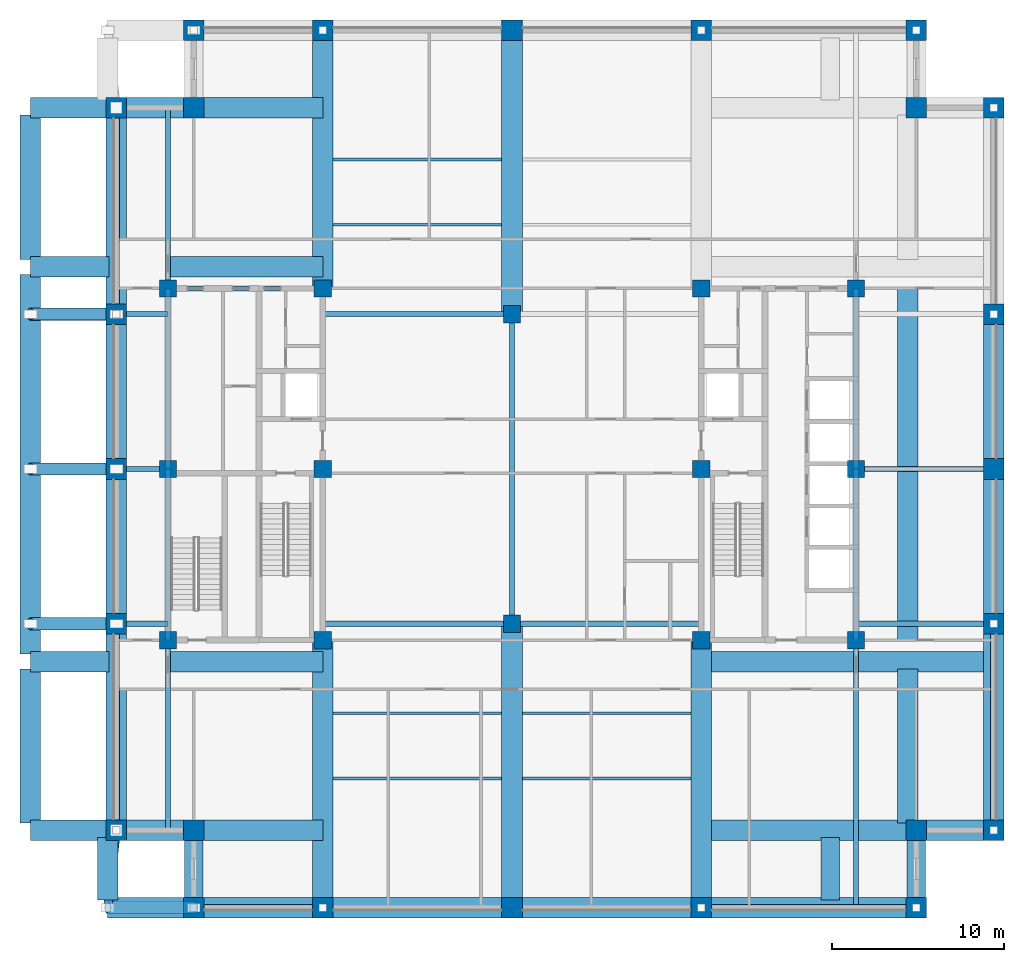
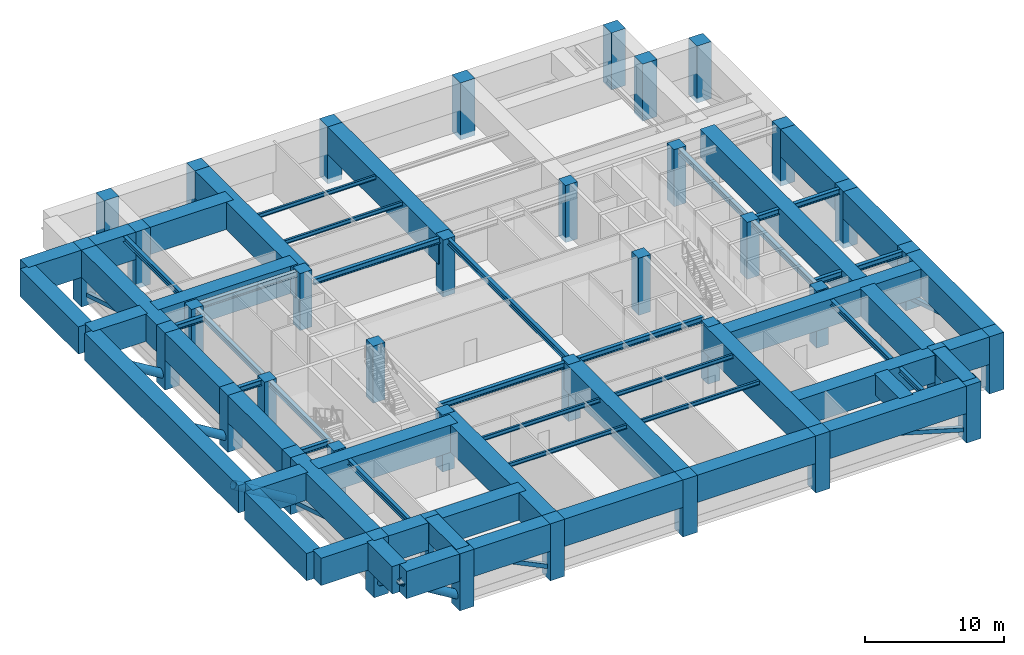
# One storey, part 1 of 11: 58 beams, 38 columns, 10 members.
"""IFC4 building model written with IfcOpenShell, lengths in metres."""

from ifc_helpers import new_model, si_unit, direction, frame, origin, origin_2d, place, context, subcontext, project, spatial, rectangle, hollow_rectangle, hollow_circle, i_section, extrude, material, material_profile, profile_set, type_object, element, save


model = new_model("IFC4")

# Units and contexts
model_context = context("Model", 3, precision=1e-05, world=origin(), true_north=direction((0.0, 1.0)))
body_context = subcontext(model_context, "Body", "Model", "MODEL_VIEW")
ifc_project = project(units=[si_unit("LENGTHUNIT", "METRE"), si_unit("AREAUNIT", "SQUARE_METRE"), si_unit("VOLUMEUNIT", "CUBIC_METRE"), si_unit("PLANEANGLEUNIT", "RADIAN"), si_unit("MASSUNIT", "GRAM", prefix="KILO")], contexts=[model_context])

# Site, building, storey
site_placement = place(None, origin())
site = spatial("IfcSite", under=ifc_project, at=site_placement, CompositionType="ELEMENT")
building_placement = place(site_placement, origin())
building = spatial("IfcBuilding", under=site, at=building_placement, Name="Zulmaris Gate Convention Tower", CompositionType="ELEMENT")
storey_placement = place(building_placement, frame((0.0, 0.0, 116.349853515625)))
storey = spatial("IfcBuildingStorey", under=building, at=storey_placement, Name="L29", CompositionType="ELEMENT", Elevation=116.349853515625)

# Columns
ifc_material_1 = material(Name="Concrete C60/75", Category="concrete")
ifc_material_profile_1 = material_profile(ifc_material_1, rectangle(XDim=1.0, YDim=1.0, at=origin_2d()), Name="RC COL 1000x1000")
ifc_profile_set_1 = profile_set([ifc_material_profile_1], Name="Concrete C60/75")
column_type_1 = type_object("IfcColumnType", Name="COL-RC1000", PredefinedType="COLUMN", material=ifc_profile_set_1)
for number, where, z_axis, x_axis, name in (
    (1, (-20.0, -9.949951171875, -0.425048828125), (0.0, 0.0, 1.0), (1.0, 0.0, 0.0), "L29 Column IN--20.00_-9.95"),
    (2, (-20.0, 10.5, -0.425048828125), (0.0, 0.0, 1.0), (1.0, 0.0, 0.0), "L29 Column IN--20.00_+10.50"),
    (3, (-11.0, -9.949951171875, -0.425048828125), (0.0, 0.0, 1.0), (1.0, 0.0, 0.0), "L29 Column IN--11.00_-9.95"),
    (4, (-11.0, 0.0, -0.425048828125), (0.0, 0.0, 1.0), (1.0, 0.0, 0.0), "L29 Column IN--11.00_+0.00"),
    (5, (-11.0, 10.5, -0.425048828125), (0.0, 0.0, 1.0), (1.0, 0.0, 0.0), "L29 Column IN--11.00_+10.50"),
    (6, (11.0, -9.949951171875, -0.425048828125), (0.0, 0.0, 1.0), (1.0, 0.0, 0.0), "L29 Column IN-+11.00_-9.95"),
    (7, (11.0, 0.0, -0.425048828125), (0.0, 0.0, 1.0), (1.0, 0.0, 0.0), "L29 Column IN-+11.00_+0.00"),
    (8, (11.0, 10.5, -0.425048828125), (0.0, 0.0, 1.0), (1.0, 0.0, 0.0), "L29 Column IN-+11.00_+10.50"),
    (9, (20.0, -9.949951171875, -0.425048828125), (0.0, 0.0, 1.0), (1.0, 0.0, 0.0), "L29 Column IN-+20.00_-9.95"),
    (10, (20.0, 10.5, -0.425048828125), (0.0, 0.0, 1.0), (1.0, 0.0, 0.0), "L29 Column IN-+20.00_+10.50"),
    (11, (0.0, -9.0, -0.425048828125), (0.0, 0.0, 1.0), (1.0, 0.0, 0.0), "L29 Column IN-+0.00_-9.00"),
    (12, (0.0, 9.0, -0.425048828125), (0.0, 0.0, 1.0), (1.0, 0.0, 0.0), "L29 Column IN-+0.00_+9.00"),
    (13, (-20.0, 0.0, -0.425048828125), (0.0, 0.0, 1.0), (1.0, 0.0, 0.0), "L29 Column IN--20.00_+0.00"),
    (14, (20.0, 0.0, -0.425048828125), (0.0, 0.0, 1.0), (1.0, 0.0, 0.0), "L29 Column IN-+20.00_+0.00"),
):
    element("IfcColumn", number, at=place(storey_placement, frame(where, z_axis=z_axis, x_axis=x_axis)), inside=storey, type_object=column_type_1, Name=name, PredefinedType="COLUMN", context=body_context, shape_type="SweptSolid", body=[
        extrude(rectangle(XDim=1.0, YDim=1.0, at=origin_2d()), origin(), (0.0, 0.0, 1.0), 5.0),
    ])
ifc_material_2 = material(Name="Concrete C70/85", Category="concrete")
ifc_material_profile_2 = material_profile(ifc_material_2, rectangle(XDim=1.199951171875, YDim=1.199951171875, at=origin_2d()), Name="RC COL 1200x1200")
ifc_profile_set_2 = profile_set([ifc_material_profile_2], Name="Concrete C70/85")
column_type_2 = type_object("IfcColumnType", Name="COL-RC1200", PredefinedType="COLUMN", material=ifc_profile_set_2)
for number, where, z_axis, x_axis, name in (
    (15, (-18.5, -25.5, -0.425048828125), (0.0, 0.0, 1.0), (1.0, 0.0, 0.0), "L29 Column PT--18.50_-25.50"),
    (16, (-11.0, -25.5, -0.425048828125), (0.0, 0.0, 1.0), (1.0, 0.0, 0.0), "L29 Column PT--11.00_-25.50"),
    (17, (0.0, -25.5, -0.425048828125), (0.0, 0.0, 1.0), (1.0, 0.0, 0.0), "L29 Column PT-+0.00_-25.50"),
    (18, (11.0, -25.5, -0.425048828125), (0.0, 0.0, 1.0), (1.0, 0.0, 0.0), "L29 Column PT-+11.00_-25.50"),
    (19, (23.5, -25.5, -0.425048828125), (0.0, 0.0, 1.0), (1.0, 0.0, 0.0), "L29 Column PT-+23.50_-25.50"),
    (20, (-18.5, 25.5, -0.425048828125), (0.0, 0.0, 1.0), (1.0, 0.0, 0.0), "L29 Column PT--18.50_+25.50"),
    (21, (-11.0, 25.5, -0.425048828125), (0.0, 0.0, 1.0), (1.0, 0.0, 0.0), "L29 Column PT--11.00_+25.50"),
    (22, (0.0, 25.5, -0.425048828125), (0.0, 0.0, 1.0), (1.0, 0.0, 0.0), "L29 Column PT-+0.00_+25.50"),
    (23, (11.0, 25.5, -0.425048828125), (0.0, 0.0, 1.0), (1.0, 0.0, 0.0), "L29 Column PT-+11.00_+25.50"),
    (24, (23.5, 25.5, -0.425048828125), (0.0, 0.0, 1.0), (1.0, 0.0, 0.0), "L29 Column PT-+23.50_+25.50"),
    (25, (-23.0, -21.0, -0.425048828125), (0.0, 0.0, 1.0), (1.0, 0.0, 0.0), "L29 Column PT--23.00_-21.00"),
    (26, (-23.0, -9.0, -0.425048828125), (0.0, 0.0, 1.0), (1.0, 0.0, 0.0), "L29 Column PT--23.00_-9.00"),
    (27, (-23.0, 0.0, -0.425048828125), (0.0, 0.0, 1.0), (1.0, 0.0, 0.0), "L29 Column PT--23.00_+0.00"),
    (28, (-23.0, 9.0, -0.425048828125), (0.0, 0.0, 1.0), (1.0, 0.0, 0.0), "L29 Column PT--23.00_+9.00"),
    (29, (-23.0, 21.0, -0.425048828125), (0.0, 0.0, 1.0), (1.0, 0.0, 0.0), "L29 Column PT--23.00_+21.00"),
    (30, (28.0, -21.0, -0.425048828125), (0.0, 0.0, 1.0), (1.0, 0.0, 0.0), "L29 Column PT-+28.00_-21.00"),
    (31, (28.0, -9.0, -0.425048828125), (0.0, 0.0, 1.0), (1.0, 0.0, 0.0), "L29 Column PT-+28.00_-9.00"),
    (32, (28.0, 0.0, -0.425048828125), (0.0, 0.0, 1.0), (1.0, 0.0, 0.0), "L29 Column PT-+28.00_+0.00"),
    (33, (28.0, 9.0, -0.425048828125), (0.0, 0.0, 1.0), (1.0, 0.0, 0.0), "L29 Column PT-+28.00_+9.00"),
    (34, (28.0, 21.0, -0.425048828125), (0.0, 0.0, 1.0), (1.0, 0.0, 0.0), "L29 Column PT-+28.00_+21.00"),
    (35, (-18.5, -21.0, -0.425048828125), (0.0, 0.0, 1.0), (1.0, 0.0, 0.0), "L29 Column PT--18.50_-21.00"),
    (36, (23.5, -21.0, -0.425048828125), (0.0, 0.0, 1.0), (1.0, 0.0, 0.0), "L29 Column PT-+23.50_-21.00"),
    (37, (23.5, 21.0, -0.425048828125), (0.0, 0.0, 1.0), (1.0, 0.0, 0.0), "L29 Column PT-+23.50_+21.00"),
    (38, (-18.5, 21.0, -0.425048828125), (0.0, 0.0, 1.0), (1.0, 0.0, 0.0), "L29 Column PT--18.50_+21.00"),
):
    element("IfcColumn", number, at=place(storey_placement, frame(where, z_axis=z_axis, x_axis=x_axis)), inside=storey, type_object=column_type_2, Name=name, PredefinedType="COLUMN", context=body_context, shape_type="SweptSolid", body=[
        extrude(rectangle(XDim=1.199951171875, YDim=1.199951171875, at=origin_2d()), origin(), (0.0, 0.0, 1.0), 5.0),
    ])

# Beams
ifc_material_3 = material(Name="Steel S355", Category="steel")
ifc_material_profile_3 = material_profile(ifc_material_3, i_section(OverallWidth=0.300048828125, OverallDepth=0.5, WebThickness=0.014404296875, FlangeThickness=0.028076171875, FilletRadius=0.027099609375, at=origin_2d()), Name="HEB 500")
ifc_profile_set_3 = profile_set([ifc_material_profile_3], Name="Steel S355")
beam_type_1 = type_object("IfcBeamType", Name="BM-HEB500", PredefinedType="BEAM", material=ifc_profile_set_3)
for number, where, z_axis, x_axis, name in (
    (39, (-11.0, -9.0, 4.322998046875), (1.0, 0.0, 0.0), (0.0, 1.0, 0.0), "L29 Beam BM-L29-G01"),
    (40, (0.0, -9.0, 4.322998046875), (1.0, 0.0, 0.0), (0.0, 1.0, 0.0), "L29 Beam BM-L29-G02"),
    (41, (-11.0, 9.0, 4.322998046875), (1.0, 0.0, 0.0), (0.0, 1.0, 0.0), "L29 Beam BM-L29-G03"),
):
    element("IfcBeam", number, at=place(storey_placement, frame(where, z_axis=z_axis, x_axis=x_axis)), inside=storey, type_object=beam_type_1, Name=name, PredefinedType="BEAM", context=body_context, shape_type="SweptSolid", body=[
        extrude(i_section(OverallWidth=0.300048828125, OverallDepth=0.5, WebThickness=0.014404296875, FlangeThickness=0.028076171875, FilletRadius=0.027099609375, at=origin_2d()), origin(), (0.0, 0.0, 1.0), 11.0),
    ])
beam_1_placement = place(storey_placement, frame((0.0, -9.0, 4.322998046875), z_axis=(0.0, 1.0, 0.0), x_axis=(-1.0, 0.0, 0.0)))
element("IfcBeam", 42, at=beam_1_placement, inside=storey, type_object=beam_type_1, Name="L29 Beam BM-L29-G06", PredefinedType="BEAM", context=body_context, shape_type="SweptSolid", body=[
    extrude(i_section(OverallWidth=0.300048828125, OverallDepth=0.5, WebThickness=0.014404296875, FlangeThickness=0.028076171875, FilletRadius=0.027099609375, at=origin_2d()), origin(), (0.0, 0.0, 1.0), 18.0),
])
beam_2_placement = place(storey_placement, frame((-20.0, -21.0, 4.322998046875), z_axis=(0.0, 1.0, 0.0), x_axis=(-1.0, 0.0, 0.0)))
element("IfcBeam", 43, at=beam_2_placement, inside=storey, type_object=beam_type_1, Name="L29 Beam BM-L29-G12", PredefinedType="BEAM", context=body_context, shape_type="SweptSolid", body=[
    extrude(i_section(OverallWidth=0.300048828125, OverallDepth=0.5, WebThickness=0.014404296875, FlangeThickness=0.028076171875, FilletRadius=0.027099609375, at=origin_2d()), origin(), (0.0, 0.0, 1.0), 11.050048828125),
])
beam_3_placement = place(storey_placement, frame((-20.0, 10.5, 4.322998046875), z_axis=(0.0, 1.0, 0.0), x_axis=(-1.0, 0.0, 0.0)))
element("IfcBeam", 44, at=beam_3_placement, inside=storey, type_object=beam_type_1, Name="L29 Beam BM-L29-G13", PredefinedType="BEAM", context=body_context, shape_type="SweptSolid", body=[
    extrude(i_section(OverallWidth=0.300048828125, OverallDepth=0.5, WebThickness=0.014404296875, FlangeThickness=0.028076171875, FilletRadius=0.027099609375, at=origin_2d()), origin(), (0.0, 0.0, 1.0), 10.5),
])
beam_4_placement = place(storey_placement, frame((20.0, -25.5, 4.2880859375), z_axis=(0.0, 1.0, 0.0), x_axis=(-1.0, 0.0, 0.0)))
element("IfcBeam", 45, at=beam_4_placement, inside=storey, type_object=beam_type_1, Name="L29 Beam BM-L29-G14", PredefinedType="BEAM", context=body_context, shape_type="SweptSolid", body=[
    extrude(i_section(OverallWidth=0.300048828125, OverallDepth=0.5, WebThickness=0.014404296875, FlangeThickness=0.028076171875, FilletRadius=0.027099609375, at=origin_2d()), origin(), (0.0, 0.0, 1.0), 15.550048828125),
])
for number, where, z_axis, x_axis, name in (
    (46, (-23.0, -9.0, 4.322998046875), (1.0, 0.0, 0.0), (0.0, 1.0, 0.0), "L29 Beam BM-L29-G16"),
    (47, (-23.0, 0.0, 4.322998046875), (1.0, 0.0, 0.0), (0.0, 1.0, 0.0), "L29 Beam BM-L29-G17"),
    (48, (-23.0, 9.0, 4.322998046875), (1.0, 0.0, 0.0), (0.0, 1.0, 0.0), "L29 Beam BM-L29-G18"),
):
    element("IfcBeam", number, at=place(storey_placement, frame(where, z_axis=z_axis, x_axis=x_axis)), inside=storey, type_object=beam_type_1, Name=name, PredefinedType="BEAM", context=body_context, shape_type="SweptSolid", body=[
        extrude(i_section(OverallWidth=0.300048828125, OverallDepth=0.5, WebThickness=0.014404296875, FlangeThickness=0.028076171875, FilletRadius=0.027099609375, at=origin_2d()), origin(), (0.0, 0.0, 1.0), 3.0),
    ])
for number, where, z_axis, x_axis, name in (
    (49, (20.0, -9.0, 4.2880859375), (1.0, 0.0, 0.0), (0.0, 1.0, 0.0), "L29 Beam BM-L29-G19"),
    (50, (20.0, 0.0, 4.2880859375), (1.0, 0.0, 0.0), (0.0, 1.0, 0.0), "L29 Beam BM-L29-G20"),
):
    element("IfcBeam", number, at=place(storey_placement, frame(where, z_axis=z_axis, x_axis=x_axis)), inside=storey, type_object=beam_type_1, Name=name, PredefinedType="BEAM", context=body_context, shape_type="SweptSolid", body=[
        extrude(i_section(OverallWidth=0.300048828125, OverallDepth=0.5, WebThickness=0.014404296875, FlangeThickness=0.028076171875, FilletRadius=0.027099609375, at=origin_2d()), origin(), (0.0, 0.0, 1.0), 8.0),
    ])
beam_5_placement = place(storey_placement, frame((-20.0, 10.5, 4.322998046875), z_axis=(1.0, 0.0, 0.0), x_axis=(0.0, 1.0, 0.0)))
element("IfcBeam", 51, at=beam_5_placement, inside=storey, type_object=beam_type_1, Name="L29 Beam BM-L29-G23", PredefinedType="BEAM", context=body_context, shape_type="SweptSolid", body=[
    extrude(i_section(OverallWidth=0.300048828125, OverallDepth=0.5, WebThickness=0.014404296875, FlangeThickness=0.028076171875, FilletRadius=0.027099609375, at=origin_2d()), origin(), (0.0, 0.0, 1.0), 9.0),
])
beam_6_placement = place(storey_placement, frame((-20.0, -9.949951171875, 4.322998046875), z_axis=(0.0, 1.0, 0.0), x_axis=(-1.0, 0.0, 0.0)))
element("IfcBeam", 52, at=beam_6_placement, inside=storey, type_object=beam_type_1, Name="L29 Beam BM-L29-G26", PredefinedType="BEAM", context=body_context, shape_type="SweptSolid", body=[
    extrude(i_section(OverallWidth=0.300048828125, OverallDepth=0.5, WebThickness=0.014404296875, FlangeThickness=0.028076171875, FilletRadius=0.027099609375, at=origin_2d()), origin(), (0.0, 0.0, 1.0), 9.949951171875),
])
beam_7_placement = place(storey_placement, frame((-20.0, 0.0, 4.322998046875), z_axis=(0.0, 1.0, 0.0), x_axis=(-1.0, 0.0, 0.0)))
element("IfcBeam", 53, at=beam_7_placement, inside=storey, type_object=beam_type_1, Name="L29 Beam BM-L29-G27", PredefinedType="BEAM", context=body_context, shape_type="SweptSolid", body=[
    extrude(i_section(OverallWidth=0.300048828125, OverallDepth=0.5, WebThickness=0.014404296875, FlangeThickness=0.028076171875, FilletRadius=0.027099609375, at=origin_2d()), origin(), (0.0, 0.0, 1.0), 10.5),
])
beam_8_placement = place(storey_placement, frame((20.0, -9.949951171875, 4.322998046875), z_axis=(0.0, 1.0, 0.0), x_axis=(-1.0, 0.0, 0.0)))
element("IfcBeam", 54, at=beam_8_placement, inside=storey, type_object=beam_type_1, Name="L29 Beam BM-L29-G28", PredefinedType="BEAM", context=body_context, shape_type="SweptSolid", body=[
    extrude(i_section(OverallWidth=0.300048828125, OverallDepth=0.5, WebThickness=0.014404296875, FlangeThickness=0.028076171875, FilletRadius=0.027099609375, at=origin_2d()), origin(), (0.0, 0.0, 1.0), 9.949951171875),
])
beam_9_placement = place(storey_placement, frame((20.0, 0.0, 4.322998046875), z_axis=(0.0, 1.0, 0.0), x_axis=(-1.0, 0.0, 0.0)))
element("IfcBeam", 55, at=beam_9_placement, inside=storey, type_object=beam_type_1, Name="L29 Beam BM-L29-G29", PredefinedType="BEAM", context=body_context, shape_type="SweptSolid", body=[
    extrude(i_section(OverallWidth=0.300048828125, OverallDepth=0.5, WebThickness=0.014404296875, FlangeThickness=0.028076171875, FilletRadius=0.027099609375, at=origin_2d()), origin(), (0.0, 0.0, 1.0), 10.5),
])
ifc_material_4 = material(Name="Concrete C80/95", Category="concrete")
ifc_material_profile_4 = material_profile(ifc_material_4, rectangle(XDim=1.10009765625, YDim=1.800048828125, at=origin_2d()), Name="RC TRANSFER 1100x1800")
ifc_profile_set_4 = profile_set([ifc_material_profile_4], Name="Concrete C80/95")
beam_type_2 = type_object("IfcBeamType", Name="BM-XFER1800", PredefinedType="BEAM", material=ifc_profile_set_4)
for number, where, z_axis, x_axis, name in (
    (56, (-18.5, -25.5, 3.675048828125), (0.0, 1.0, 0.0), (-1.0, 0.0, 0.0), "L29 Beam XFCOLV-L29-CXWS"),
    (57, (23.5, -25.5, 3.675048828125), (0.0, 1.0, 0.0), (-1.0, 0.0, 0.0), "L29 Beam XFCOLV-L29-CXES"),
):
    element("IfcBeam", number, at=place(storey_placement, frame(where, z_axis=z_axis, x_axis=x_axis)), inside=storey, type_object=beam_type_2, Name=name, PredefinedType="BEAM", context=body_context, shape_type="SweptSolid", body=[
        extrude(rectangle(XDim=1.10009765625, YDim=1.800048828125, at=origin_2d()), origin(), (0.0, 0.0, 1.0), 4.5),
    ])
beam_10_placement = place(storey_placement, frame((18.5, -25.06494140625, 3.675048828125), z_axis=(0.0, 1.0, 0.0), x_axis=(-1.0, 0.0, 0.0)))
element("IfcBeam", 58, at=beam_10_placement, inside=storey, type_object=beam_type_2, Name="L29 Beam XFNCH-L29-EC--21.0", PredefinedType="BEAM", context=body_context, shape_type="SweptSolid", body=[
    extrude(rectangle(XDim=1.10009765625, YDim=1.800048828125, at=origin_2d()), origin(), (0.0, 0.0, 1.0), 3.6298828125),
])
ifc_material_profile_5 = material_profile(ifc_material_4, rectangle(XDim=1.199951171875, YDim=2.39990234375, at=origin_2d()), Name="RC TRANSFER 1200x2400")
ifc_profile_set_5 = profile_set([ifc_material_profile_5], Name="Concrete C80/95")
beam_type_3 = type_object("IfcBeamType", Name="BM-XFER2400", PredefinedType="BEAM", material=ifc_profile_set_5)
beam_11_placement = place(storey_placement, frame((-23.0, -21.0, 3.375), z_axis=(0.0, 1.0, 0.0), x_axis=(-1.0, 0.0, 0.0)))
element("IfcBeam", 59, at=beam_11_placement, inside=storey, type_object=beam_type_3, Name="L29 Beam XFCOLV-L29-XWS", PredefinedType="BEAM", context=body_context, shape_type="SweptSolid", body=[
    extrude(rectangle(XDim=1.199951171875, YDim=2.39990234375, at=origin_2d()), origin(), (0.0, 0.0, 1.0), 12.0),
])
for number, where, z_axis, x_axis, name in (
    (60, (-23.0, -9.0, 3.375), (0.0, 1.0, 0.0), (-1.0, 0.0, 0.0), "L29 Beam XFCOLV-L29-XWM1"),
    (61, (-23.0, 0.0, 3.375), (0.0, 1.0, 0.0), (-1.0, 0.0, 0.0), "L29 Beam XFCOLV-L29-XWM2"),
):
    element("IfcBeam", number, at=place(storey_placement, frame(where, z_axis=z_axis, x_axis=x_axis)), inside=storey, type_object=beam_type_3, Name=name, PredefinedType="BEAM", context=body_context, shape_type="SweptSolid", body=[
        extrude(rectangle(XDim=1.199951171875, YDim=2.39990234375, at=origin_2d()), origin(), (0.0, 0.0, 1.0), 9.0),
    ])
for number, where, z_axis, x_axis, name in (
    (62, (-23.0, 9.0, 3.375), (0.0, 1.0, 0.0), (-1.0, 0.0, 0.0), "L29 Beam XFCOLV-L29-XWN"),
    (63, (28.0, -21.0, 3.375), (0.0, 1.0, 0.0), (-1.0, 0.0, 0.0), "L29 Beam XFCOLV-L29-XES"),
):
    element("IfcBeam", number, at=place(storey_placement, frame(where, z_axis=z_axis, x_axis=x_axis)), inside=storey, type_object=beam_type_3, Name=name, PredefinedType="BEAM", context=body_context, shape_type="SweptSolid", body=[
        extrude(rectangle(XDim=1.199951171875, YDim=2.39990234375, at=origin_2d()), origin(), (0.0, 0.0, 1.0), 12.0),
    ])
for number, where, z_axis, x_axis, name in (
    (64, (28.0, -9.0, 3.375), (0.0, 1.0, 0.0), (-1.0, 0.0, 0.0), "L29 Beam XFCOLV-L29-XEM1"),
    (65, (28.0, 0.0, 3.375), (0.0, 1.0, 0.0), (-1.0, 0.0, 0.0), "L29 Beam XFCOLV-L29-XEM2"),
):
    element("IfcBeam", number, at=place(storey_placement, frame(where, z_axis=z_axis, x_axis=x_axis)), inside=storey, type_object=beam_type_3, Name=name, PredefinedType="BEAM", context=body_context, shape_type="SweptSolid", body=[
        extrude(rectangle(XDim=1.199951171875, YDim=2.39990234375, at=origin_2d()), origin(), (0.0, 0.0, 1.0), 9.0),
    ])
beam_12_placement = place(storey_placement, frame((-11.0, -25.5, 3.375), z_axis=(0.0, 1.0, 0.0), x_axis=(-1.0, 0.0, 0.0)))
element("IfcBeam", 66, at=beam_12_placement, inside=storey, type_object=beam_type_3, Name="L29 Beam XFCOLV-L29-C11WS", PredefinedType="BEAM", context=body_context, shape_type="SweptSolid", body=[
    extrude(rectangle(XDim=1.199951171875, YDim=2.39990234375, at=origin_2d()), origin(), (0.0, 0.0, 1.0), 15.550048828125),
])
beam_13_placement = place(storey_placement, frame((-11.0, 10.5, 3.375), z_axis=(0.0, 1.0, 0.0), x_axis=(-1.0, 0.0, 0.0)))
element("IfcBeam", 67, at=beam_13_placement, inside=storey, type_object=beam_type_3, Name="L29 Beam XFCOLV-L29-C11WN", PredefinedType="BEAM", context=body_context, shape_type="SweptSolid", body=[
    extrude(rectangle(XDim=1.199951171875, YDim=2.39990234375, at=origin_2d()), origin(), (0.0, 0.0, 1.0), 15.0),
])
beam_14_placement = place(storey_placement, frame((11.0, -25.5, 3.375), z_axis=(0.0, 1.0, 0.0), x_axis=(-1.0, 0.0, 0.0)))
element("IfcBeam", 68, at=beam_14_placement, inside=storey, type_object=beam_type_3, Name="L29 Beam XFCOLV-L29-C11ES", PredefinedType="BEAM", context=body_context, shape_type="SweptSolid", body=[
    extrude(rectangle(XDim=1.199951171875, YDim=2.39990234375, at=origin_2d()), origin(), (0.0, 0.0, 1.0), 15.550048828125),
])
for number, where, z_axis, x_axis, name in (
    (69, (0.0, -25.5, 3.375), (0.0, 1.0, 0.0), (-1.0, 0.0, 0.0), "L29 Beam XFCOLV-L29-C0S"),
    (70, (0.0, 9.0, 3.375), (0.0, 1.0, 0.0), (-1.0, 0.0, 0.0), "L29 Beam XFCOLV-L29-C0N"),
):
    element("IfcBeam", number, at=place(storey_placement, frame(where, z_axis=z_axis, x_axis=x_axis)), inside=storey, type_object=beam_type_3, Name=name, PredefinedType="BEAM", context=body_context, shape_type="SweptSolid", body=[
        extrude(rectangle(XDim=1.199951171875, YDim=2.39990234375, at=origin_2d()), origin(), (0.0, 0.0, 1.0), 16.5),
    ])
beam_15_placement = place(storey_placement, frame((-22.56494140625, -21.0, 3.375), z_axis=(1.0, 0.0, 0.0), x_axis=(0.0, 1.0, 0.0)))
element("IfcBeam", 71, at=beam_15_placement, inside=storey, type_object=beam_type_3, Name="L29 Beam XFBS-L29-W--21.00", PredefinedType="BEAM", context=body_context, shape_type="SweptSolid", body=[
    extrude(rectangle(XDim=1.199951171875, YDim=2.39990234375, at=origin_2d()), origin(), (0.0, 0.0, 1.0), 11.56494140625),
])
beam_16_placement = place(storey_placement, frame((-28.0, -21.0, 3.375), z_axis=(1.0, 0.0, 0.0), x_axis=(0.0, 1.0, 0.0)))
element("IfcBeam", 72, at=beam_16_placement, inside=storey, type_object=beam_type_3, Name="L29 Beam XFSF-L29-W--21.00", PredefinedType="BEAM", context=body_context, shape_type="SweptSolid", body=[
    extrude(rectangle(XDim=1.199951171875, YDim=2.39990234375, at=origin_2d()), origin(), (0.0, 0.0, 1.0), 4.56494140625),
])
beam_17_placement = place(storey_placement, frame((-22.56494140625, -11.199951171875, 3.375), z_axis=(1.0, 0.0, 0.0), x_axis=(0.0, 1.0, 0.0)))
element("IfcBeam", 73, at=beam_17_placement, inside=storey, type_object=beam_type_3, Name="L29 Beam XFBS-L29-W--11.20", PredefinedType="BEAM", context=body_context, shape_type="SweptSolid", body=[
    extrude(rectangle(XDim=1.199951171875, YDim=2.39990234375, at=origin_2d()), origin(), (0.0, 0.0, 1.0), 11.56494140625),
])
beam_18_placement = place(storey_placement, frame((-28.0, -11.199951171875, 3.375), z_axis=(1.0, 0.0, 0.0), x_axis=(0.0, 1.0, 0.0)))
element("IfcBeam", 74, at=beam_18_placement, inside=storey, type_object=beam_type_3, Name="L29 Beam XFSF-L29-W--11.20", PredefinedType="BEAM", context=body_context, shape_type="SweptSolid", body=[
    extrude(rectangle(XDim=1.199951171875, YDim=2.39990234375, at=origin_2d()), origin(), (0.0, 0.0, 1.0), 4.56494140625),
])
beam_19_placement = place(storey_placement, frame((-22.56494140625, 11.75, 3.375), z_axis=(1.0, 0.0, 0.0), x_axis=(0.0, 1.0, 0.0)))
element("IfcBeam", 75, at=beam_19_placement, inside=storey, type_object=beam_type_3, Name="L29 Beam XFBS-L29-W-+11.75", PredefinedType="BEAM", context=body_context, shape_type="SweptSolid", body=[
    extrude(rectangle(XDim=1.199951171875, YDim=2.39990234375, at=origin_2d()), origin(), (0.0, 0.0, 1.0), 11.56494140625),
])
beam_20_placement = place(storey_placement, frame((-28.0, 11.75, 3.375), z_axis=(1.0, 0.0, 0.0), x_axis=(0.0, 1.0, 0.0)))
element("IfcBeam", 76, at=beam_20_placement, inside=storey, type_object=beam_type_3, Name="L29 Beam XFSF-L29-W-+11.75", PredefinedType="BEAM", context=body_context, shape_type="SweptSolid", body=[
    extrude(rectangle(XDim=1.199951171875, YDim=2.39990234375, at=origin_2d()), origin(), (0.0, 0.0, 1.0), 4.56494140625),
])
beam_21_placement = place(storey_placement, frame((-22.56494140625, 21.0, 3.375), z_axis=(1.0, 0.0, 0.0), x_axis=(0.0, 1.0, 0.0)))
element("IfcBeam", 77, at=beam_21_placement, inside=storey, type_object=beam_type_3, Name="L29 Beam XFBS-L29-W-+21.00", PredefinedType="BEAM", context=body_context, shape_type="SweptSolid", body=[
    extrude(rectangle(XDim=1.199951171875, YDim=2.39990234375, at=origin_2d()), origin(), (0.0, 0.0, 1.0), 11.56494140625),
])
beam_22_placement = place(storey_placement, frame((-28.0, 21.0, 3.375), z_axis=(1.0, 0.0, 0.0), x_axis=(0.0, 1.0, 0.0)))
element("IfcBeam", 78, at=beam_22_placement, inside=storey, type_object=beam_type_3, Name="L29 Beam XFSF-L29-W-+21.00", PredefinedType="BEAM", context=body_context, shape_type="SweptSolid", body=[
    extrude(rectangle(XDim=1.199951171875, YDim=2.39990234375, at=origin_2d()), origin(), (0.0, 0.0, 1.0), 4.56494140625),
])
beam_23_placement = place(storey_placement, frame((-28.0, -20.56494140625, 3.375), z_axis=(0.0, 1.0, 0.0), x_axis=(-1.0, 0.0, 0.0)))
element("IfcBeam", 79, at=beam_23_placement, inside=storey, type_object=beam_type_3, Name="L29 Beam XFEDG-L29-WS", PredefinedType="BEAM", context=body_context, shape_type="SweptSolid", body=[
    extrude(rectangle(XDim=1.199951171875, YDim=2.39990234375, at=origin_2d()), origin(), (0.0, 0.0, 1.0), 8.929931640625),
])
beam_24_placement = place(storey_placement, frame((-28.0, -10.764892578125, 3.375), z_axis=(0.0, 1.0, 0.0), x_axis=(-1.0, 0.0, 0.0)))
element("IfcBeam", 80, at=beam_24_placement, inside=storey, type_object=beam_type_3, Name="L29 Beam XFEDG-L29-WM", PredefinedType="BEAM", context=body_context, shape_type="SweptSolid", body=[
    extrude(rectangle(XDim=1.199951171875, YDim=2.39990234375, at=origin_2d()), origin(), (0.0, 0.0, 1.0), 22.079833984375),
])
beam_25_placement = place(storey_placement, frame((-28.0, 12.18505859375, 3.375), z_axis=(0.0, 1.0, 0.0), x_axis=(-1.0, 0.0, 0.0)))
element("IfcBeam", 81, at=beam_25_placement, inside=storey, type_object=beam_type_3, Name="L29 Beam XFEDG-L29-WN", PredefinedType="BEAM", context=body_context, shape_type="SweptSolid", body=[
    extrude(rectangle(XDim=1.199951171875, YDim=2.39990234375, at=origin_2d()), origin(), (0.0, 0.0, 1.0), 8.3798828125),
])
beam_26_placement = place(storey_placement, frame((-18.1650390625, -25.5, 3.375), z_axis=(1.0, 0.0, 0.0), x_axis=(0.0, 1.0, 0.0)))
element("IfcBeam", 82, at=beam_26_placement, inside=storey, type_object=beam_type_3, Name="L29 Beam XFBS-L29-WC--25.5", PredefinedType="BEAM", context=body_context, shape_type="SweptSolid", body=[
    extrude(rectangle(XDim=1.199951171875, YDim=2.39990234375, at=origin_2d()), origin(), (0.0, 0.0, 1.0), 17.72998046875),
])
beam_27_placement = place(storey_placement, frame((-23.5, -25.5, 3.375), z_axis=(1.0, 0.0, 0.0), x_axis=(0.0, 1.0, 0.0)))
element("IfcBeam", 83, at=beam_27_placement, inside=storey, type_object=beam_type_3, Name="L29 Beam XFSF-L29-WC--25.5", PredefinedType="BEAM", context=body_context, shape_type="SweptSolid", body=[
    extrude(rectangle(XDim=1.199951171875, YDim=2.39990234375, at=origin_2d()), origin(), (0.0, 0.0, 1.0), 4.6650390625),
])
for number, where, z_axis, x_axis, name in (
    (84, (11.0, -21.0, 3.375), (1.0, 0.0, 0.0), (0.0, 1.0, 0.0), "L29 Beam XFREC-L29-E--21.00"),
    (85, (11.0, -11.199951171875, 3.375), (1.0, 0.0, 0.0), (0.0, 1.0, 0.0), "L29 Beam XFREC-L29-E--11.20"),
):
    element("IfcBeam", number, at=place(storey_placement, frame(where, z_axis=z_axis, x_axis=x_axis)), inside=storey, type_object=beam_type_3, Name=name, PredefinedType="BEAM", context=body_context, shape_type="SweptSolid", body=[
        extrude(rectangle(XDim=1.199951171875, YDim=2.39990234375, at=origin_2d()), origin(), (0.0, 0.0, 1.0), 17.0),
    ])
beam_28_placement = place(storey_placement, frame((23.0, -20.56494140625, 3.375), z_axis=(0.0, 1.0, 0.0), x_axis=(-1.0, 0.0, 0.0)))
element("IfcBeam", 86, at=beam_28_placement, inside=storey, type_object=beam_type_3, Name="L29 Beam XFEDG-L29-ES", PredefinedType="BEAM", context=body_context, shape_type="SweptSolid", body=[
    extrude(rectangle(XDim=1.199951171875, YDim=2.39990234375, at=origin_2d()), origin(), (0.0, 0.0, 1.0), 8.929931640625),
])
beam_29_placement = place(storey_placement, frame((23.0, -10.764892578125, 3.375), z_axis=(0.0, 1.0, 0.0), x_axis=(-1.0, 0.0, 0.0)))
element("IfcBeam", 87, at=beam_29_placement, inside=storey, type_object=beam_type_3, Name="L29 Beam XFEDG-L29-EM", PredefinedType="BEAM", context=body_context, shape_type="SweptSolid", body=[
    extrude(rectangle(XDim=1.199951171875, YDim=2.39990234375, at=origin_2d()), origin(), (0.0, 0.0, 1.0), 22.079833984375),
])
beam_30_placement = place(storey_placement, frame((11.0, -25.5, 3.375), z_axis=(1.0, 0.0, 0.0), x_axis=(0.0, 1.0, 0.0)))
element("IfcBeam", 88, at=beam_30_placement, inside=storey, type_object=beam_type_3, Name="L29 Beam XFREC-L29-EC--25.5", PredefinedType="BEAM", context=body_context, shape_type="SweptSolid", body=[
    extrude(rectangle(XDim=1.199951171875, YDim=2.39990234375, at=origin_2d()), origin(), (0.0, 0.0, 1.0), 12.5),
])
beam_31_placement = place(storey_placement, frame((0.0, -25.5, 3.375), z_axis=(1.0, 0.0, 0.0), x_axis=(0.0, 1.0, 0.0)))
element("IfcBeam", 89, at=beam_31_placement, inside=storey, type_object=beam_type_3, Name="L29 Beam XFREC-L29-M2--25.5", PredefinedType="BEAM", context=body_context, shape_type="SweptSolid", body=[
    extrude(rectangle(XDim=1.199951171875, YDim=2.39990234375, at=origin_2d()), origin(), (0.0, 0.0, 1.0), 11.0),
])
beam_32_placement = place(storey_placement, frame((-23.5, -25.06494140625, 3.375), z_axis=(0.0, 1.0, 0.0), x_axis=(-1.0, 0.0, 0.0)))
element("IfcBeam", 90, at=beam_32_placement, inside=storey, type_object=beam_type_3, Name="L29 Beam XFNCH-L29-WC--21.0", PredefinedType="BEAM", context=body_context, shape_type="SweptSolid", body=[
    extrude(rectangle(XDim=1.199951171875, YDim=2.39990234375, at=origin_2d()), origin(), (0.0, 0.0, 1.0), 3.6298828125),
])

# Members
ifc_material_5 = material(Name="Steel S460", Category="steel")
ifc_material_profile_6 = material_profile(ifc_material_5, hollow_circle(Radius=0.25390625, WallThickness=0.02490234375, at=origin_2d()), Name="CHS 508x25")
ifc_profile_set_6 = profile_set([ifc_material_profile_6], Name="Steel S460")
member_type_1 = type_object("IfcMemberType", Name="BR-CHS508", PredefinedType="BRACE", material=ifc_profile_set_6)
member_1_placement = place(storey_placement, frame((-23.0, -21.0, 0.35009765625), z_axis=(-0.091824253231, -0.826418279083, 0.555518797626), x_axis=(0.993883734674, -0.110431526075, 0.0)))
element("IfcMember", 91, at=member_1_placement, inside=storey, type_object=member_type_1, Name="L29 Shifted Block Notch Web Strut WC -25.5", PredefinedType="BRACE", context=body_context, shape_type="SweptSolid", body=[
    extrude(hollow_circle(Radius=0.25390625, WallThickness=0.02490234375, at=origin_2d()), origin(), (0.0, 0.0, 1.0), 5.445068359375),
])
ifc_material_profile_7 = material_profile(ifc_material_5, hollow_circle(Radius=0.35546875, WallThickness=0.035888671875, at=origin_2d()), Name="CHS 711x36")
ifc_profile_set_7 = profile_set([ifc_material_profile_7], Name="Steel S460")
member_type_2 = type_object("IfcMemberType", Name="BR-CHS711", PredefinedType="BRACE", material=ifc_profile_set_7)
for number, where, z_axis, x_axis, name in (
    (92, (-23.0, -9.0, 0.35009765625), (-0.855607204718, 0.0, 0.517625647776), (0.0, -1.0, 0.0), "L29 Shifted Block Transfer Raking Strut W -9.0"),
    (93, (-23.0, 0.0, 0.35009765625), (-0.855607204718, 0.0, 0.517625647776), (0.0, -1.0, 0.0), "L29 Shifted Block Transfer Raking Strut W +0.0"),
    (94, (-23.0, 9.0, 0.35009765625), (-0.855607204718, 0.0, 0.517625647776), (0.0, -1.0, 0.0), "L29 Shifted Block Transfer Raking Strut W +9.0"),
    (95, (-18.5, -25.5, 0.35009765625), (-0.855607204718, 0.0, 0.517625647776), (0.0, -1.0, 0.0), "L29 Shifted Block Corner Raking Strut WC -25.5"),
):
    element("IfcMember", number, at=place(storey_placement, frame(where, z_axis=z_axis, x_axis=x_axis)), inside=storey, type_object=member_type_2, Name=name, PredefinedType="BRACE", context=body_context, shape_type="SweptSolid", body=[
        extrude(hollow_circle(Radius=0.35546875, WallThickness=0.035888671875, at=origin_2d()), origin(), (0.0, 0.0, 1.0), 5.84375),
    ])
ifc_material_profile_8 = material_profile(ifc_material_5, hollow_rectangle(XDim=0.35009765625, YDim=0.35009765625, WallThickness=0.01611328125, at=origin_2d()), Name="SHS 350x350x16")
ifc_profile_set_8 = profile_set([ifc_material_profile_8], Name="Steel S460")
member_type_3 = type_object("IfcMemberType", Name="BR-SHS350", PredefinedType="BRACE", material=ifc_profile_set_8)
for number, where, z_axis, x_axis, name in (
    (96, (-23.0, -9.0, 0.300048828125), (0.0, -0.956610453782, 0.291369936189), (1.0, 0.0, 0.0), "L29 Perimeter Tube Diagonal SW-W"),
    (97, (-23.0, 21.0, 0.300048828125), (0.0, -0.956610453782, 0.291369936189), (1.0, 0.0, 0.0), "L29 Perimeter Tube Diagonal NW-W"),
    (98, (28.0, -9.0, 0.300048828125), (0.0, -0.956610453782, 0.291369936189), (1.0, 0.0, 0.0), "L29 Perimeter Tube Diagonal SE-E"),
):
    element("IfcMember", number, at=place(storey_placement, frame(where, z_axis=z_axis, x_axis=x_axis)), inside=storey, type_object=member_type_3, Name=name, PredefinedType="BRACE", context=body_context, shape_type="SweptSolid", body=[
        extrude(hollow_rectangle(XDim=0.35009765625, YDim=0.35009765625, WallThickness=0.01611328125, at=origin_2d()), origin(), (0.0, 0.0, 1.0), 12.544189453125),
    ])
member_2_placement = place(storey_placement, frame((-11.0, -25.5, 0.300048828125), z_axis=(-0.898934027062, 0.0, 0.438084027316), x_axis=(0.0, -1.0, 0.0)))
element("IfcMember", 99, at=member_2_placement, inside=storey, type_object=member_type_3, Name="L29 Perimeter Tube Diagonal SW-S", PredefinedType="BRACE", context=body_context, shape_type="SweptSolid", body=[
    extrude(hollow_rectangle(XDim=0.35009765625, YDim=0.35009765625, WallThickness=0.01611328125, at=origin_2d()), origin(), (0.0, 0.0, 1.0), 8.34326171875),
])
member_3_placement = place(storey_placement, frame((23.5, -25.5, 0.300048828125), z_axis=(-0.959809977016, 0.0, 0.280650686834), x_axis=(0.0, -1.0, 0.0)))
element("IfcMember", 100, at=member_3_placement, inside=storey, type_object=member_type_3, Name="L29 Perimeter Tube Diagonal SE-S", PredefinedType="BRACE", context=body_context, shape_type="SweptSolid", body=[
    extrude(hollow_rectangle(XDim=0.35009765625, YDim=0.35009765625, WallThickness=0.01611328125, at=origin_2d()), origin(), (0.0, 0.0, 1.0), 13.0234375),
])

# Beams
ifc_material_profile_9 = material_profile(ifc_material_3, i_section(OverallWidth=0.169921875, OverallDepth=0.360107421875, WebThickness=0.008056640625, FlangeThickness=0.0126953125, FilletRadius=0.01806640625, at=origin_2d()), Name="IPE 360")
ifc_profile_set_9 = profile_set([ifc_material_profile_9], Name="Steel S355")
beam_type_4 = type_object("IfcBeamType", Name="JT-IPE360", PredefinedType="JOIST", material=ifc_profile_set_9)
for number, where, z_axis, x_axis, name in (
    (101, (-10.39990234375, -18.0, 4.39306640625), (1.0, 0.0, 0.0), (0.0, 1.0, 0.0), "L29 Joist JT-L29-CW--18.0"),
    (102, (0.60009765625, -18.0, 4.39306640625), (1.0, 0.0, 0.0), (0.0, 1.0, 0.0), "L29 Joist JT-L29-CE--18.0"),
    (103, (-10.39990234375, -14.199951171875, 4.39306640625), (1.0, 0.0, 0.0), (0.0, 1.0, 0.0), "L29 Joist JT-L29-CW--14.2"),
    (104, (0.60009765625, -14.199951171875, 4.39306640625), (1.0, 0.0, 0.0), (0.0, 1.0, 0.0), "L29 Joist JT-L29-CE--14.2"),
    (105, (-10.39990234375, 14.199951171875, 4.39306640625), (1.0, 0.0, 0.0), (0.0, 1.0, 0.0), "L29 Joist JT-L29-CW-+14.2"),
    (106, (-10.39990234375, 18.0, 4.39306640625), (1.0, 0.0, 0.0), (0.0, 1.0, 0.0), "L29 Joist JT-L29-CW-+18.0"),
):
    element("IfcBeam", number, at=place(storey_placement, frame(where, z_axis=z_axis, x_axis=x_axis)), inside=storey, type_object=beam_type_4, Name=name, PredefinedType="JOIST", context=body_context, shape_type="SweptSolid", body=[
        extrude(i_section(OverallWidth=0.169921875, OverallDepth=0.360107421875, WebThickness=0.008056640625, FlangeThickness=0.0126953125, FilletRadius=0.01806640625, at=origin_2d()), origin(), (0.0, 0.0, 1.0), 9.7998046875),
    ])

save(model, "model.ifc")
